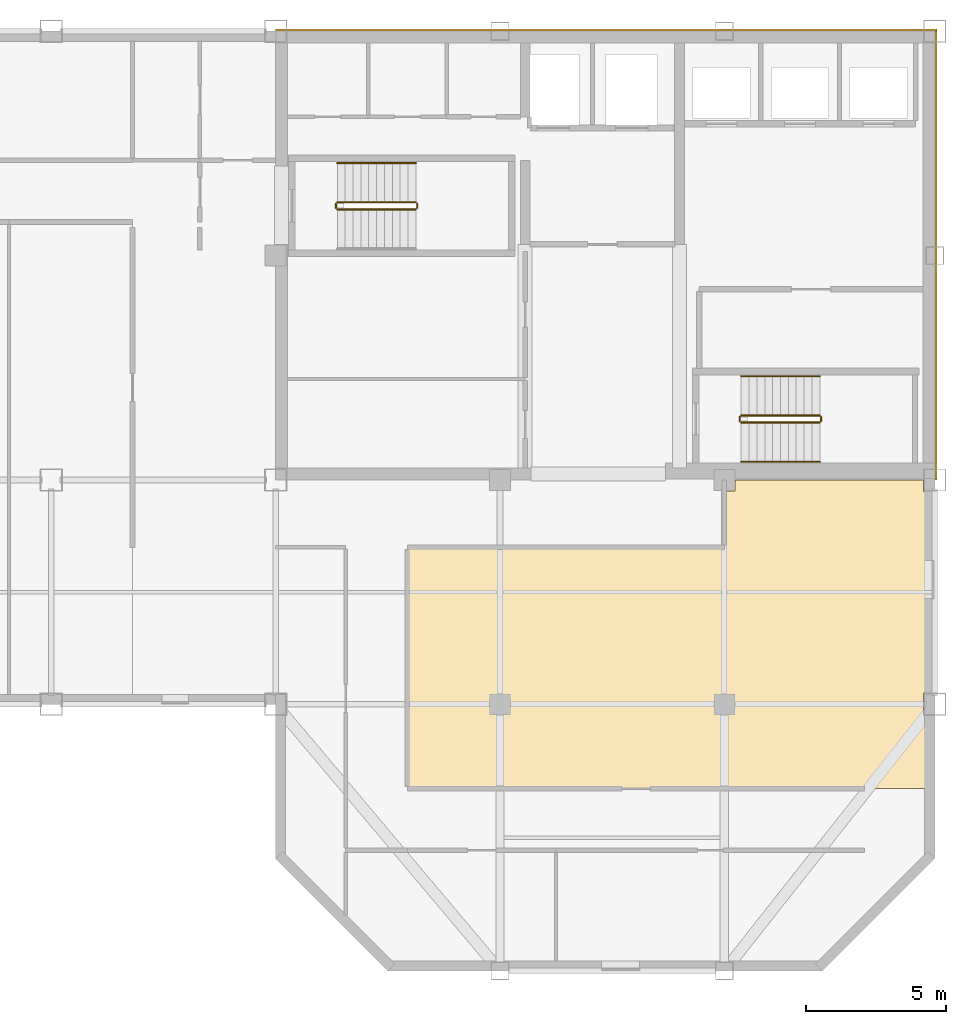
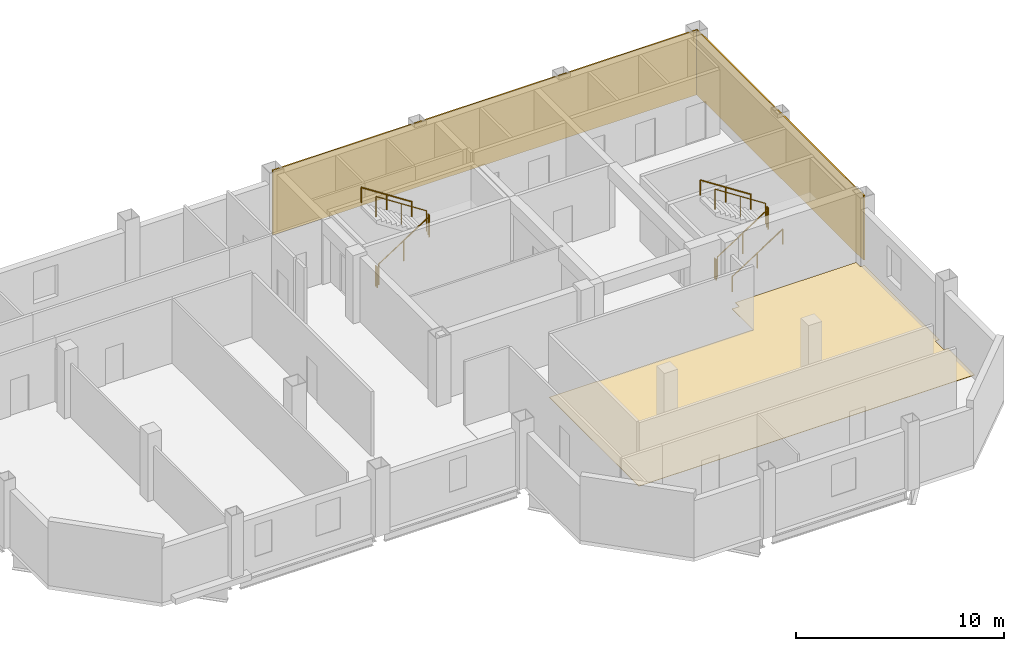
# One storey, part 6 of 6: 11 railings, 3 coverings.
"""IFC4 building model written with IfcOpenShell, lengths in metres."""

from ifc_helpers import new_model, si_unit, direction, frame, origin, origin_2d, place, context, subcontext, project, spatial, polyline, rectangle, circle, outline, extrude, material, layer, layer_set, type_object, element, save


model = new_model("IFC4")

# Units and contexts
model_context = context("Model", 3, precision=1e-05, world=origin(), true_north=direction((0.0, 1.0)))
body_context = subcontext(model_context, "Body", "Model", "MODEL_VIEW")
ifc_project = project(units=[si_unit("LENGTHUNIT", "METRE"), si_unit("AREAUNIT", "SQUARE_METRE"), si_unit("VOLUMEUNIT", "CUBIC_METRE"), si_unit("PLANEANGLEUNIT", "RADIAN"), si_unit("MASSUNIT", "GRAM", prefix="KILO")], contexts=[model_context])

# Site, building, storey
site_placement = place(None, origin())
site = spatial("IfcSite", under=ifc_project, at=site_placement, CompositionType="ELEMENT")
building_placement = place(site_placement, origin())
building = spatial("IfcBuilding", under=site, at=building_placement, Name="Qianrong Seaharbour Tower", CompositionType="ELEMENT")
storey_placement = place(building_placement, frame((0.0, 0.0, 319.199951171875)))
storey = spatial("IfcBuildingStorey", under=building, at=storey_placement, Name="L77", CompositionType="ELEMENT", Elevation=319.199951171875)

# Coverings
ifc_material_1 = material(Name="Unitised red brick cladding on Precast concrete C45/55", Category="masonry")
ifc_layer_1 = layer(ifc_material_1, 0.080078125)
ifc_layer_set_1 = layer_set([ifc_layer_1], Name="Unitised red brick cladding on Precast concrete C45/55")
covering_type_1 = type_object("IfcCoveringType", Name="COV-CLAD-RED-BRICK-80", PredefinedType="CLADDING", material=ifc_layer_set_1)
covering_1_placement = place(storey_placement, frame((52.2900390625, 52.0400390625, 0.0), z_axis=(0.0, 0.0, 1.0), x_axis=(1.0, 0.0, 0.0)))
element("IfcCovering", 1, at=covering_1_placement, inside=storey, type_object=covering_type_1, Name="L77 North Core Brick Veneer Cladding", PredefinedType="CLADDING", context=body_context, shape_type="SweptSolid", body=[
    extrude(rectangle(XDim=23.580078125, YDim=0.080078125, at=origin_2d()), origin(), (0.0, 0.0, 1.0), 3.784912109375),
])
covering_2_placement = place(storey_placement, frame((64.0400390625, 44.0, 0.0), z_axis=(0.0, 0.0, 1.0), x_axis=(1.0, 0.0, 0.0)))
element("IfcCovering", 2, at=covering_2_placement, inside=storey, type_object=covering_type_1, Name="L77 East Core Brick Veneer Cladding", PredefinedType="CLADDING", context=body_context, shape_type="SweptSolid", body=[
    extrude(rectangle(XDim=0.080078125, YDim=16.0, at=origin_2d()), origin(), (0.0, 0.0, 1.0), 3.784912109375),
])
ifc_material_2 = material(Name="Acoustic modular carpet tile flooring")
ifc_layer_2 = layer(ifc_material_2, 0.02001953125)
ifc_layer_set_2 = layer_set([ifc_layer_2], Name="Acoustic modular carpet tile flooring")
covering_type_2 = type_object("IfcCoveringType", Name="COV-FLOOR-CARPET-20", PredefinedType="FLOORING", material=ifc_layer_set_2)
covering_3_placement = place(storey_placement, origin())
element("IfcCovering", 3, at=covering_3_placement, inside=storey, type_object=covering_type_2, Name="L77 Staff Club Assembly Hall Finish Flooring", PredefinedType="FLOORING", context=body_context, shape_type="SweptSolid", body=[
    extrude(outline(polyline([(56.5, 33.60009765625), (56.5, 35.614990234375), (56.885009765625, 35.614990234375), (56.885009765625, 36.0), (63.590087890625, 36.0), (63.590087890625, 35.590087890625), (63.824951171875, 35.590087890625), (63.824951171875, 28.409912109375), (63.590087890625, 28.409912109375), (63.590087890625, 27.590087890625), (63.824951171875, 27.590087890625), (63.824951171875, 25.0), (45.199951171875, 25.0), (45.199951171875, 33.60009765625), (56.5, 33.60009765625)])), origin(), (0.0, 0.0, 1.0), 0.02001953125),
])

# Railings
ifc_material_3 = material(Name="Galvanized painted steel SN400B stair guard", Category="steel")
railing_type_1 = type_object("IfcRailingType", Name="RAIL-STAIR-GUARD-1220", PredefinedType="GUARDRAIL", material=ifc_material_3)
railing_1_placement = place(storey_placement, frame((42.699951171875, 45.64990234375, 0.181884765625)))
element("IfcRailing", 4, at=railing_1_placement, inside=storey, type_object=railing_type_1, Name="L77 ST-1 stair guard 1", PredefinedType="GUARDRAIL", context=body_context, shape_type="SweptSolid", body=[
    extrude(circle(Radius=0.02392578125, at=origin_2d()), frame((0.0, 0.0, 1.19580078125), z_axis=(0.838705829183, 0.0, 0.544584733623), x_axis=(0.0, 1.0, 0.0)), (0.0, 0.0, 1.0), 3.338623046875),
    extrude(circle(Radius=0.02099609375, at=origin_2d()), origin(), (0.0, 0.0, 1.0), 1.171875),
    extrude(circle(Radius=0.02099609375, at=origin_2d()), frame((1.39990234375, 0.0, 0.9091796875)), (0.0, 0.0, 1.0), 1.171875),
    extrude(circle(Radius=0.02099609375, at=origin_2d()), frame((2.800048828125, 0.0, 1.818115234375)), (0.0, 0.0, 1.0), 1.171875),
])
railing_2_placement = place(storey_placement, frame((45.550048828125, 45.699951171875, 2.0)))
element("IfcRailing", 5, at=railing_2_placement, inside=storey, type_object=railing_type_1, Name="L77 ST-1 stair guard 2", PredefinedType="GUARDRAIL", context=body_context, shape_type="SweptSolid", body=[
    extrude(circle(Radius=0.02392578125, at=origin_2d()), frame((0.0, 0.0, 1.19580078125), z_axis=(0.0, 1.0, 0.0), x_axis=(-1.0, 0.0, 0.0)), (0.0, 0.0, 1.0), 0.150146484375),
    extrude(circle(Radius=0.02099609375, at=origin_2d()), origin(), (0.0, 0.0, 1.0), 1.171875),
    extrude(circle(Radius=0.02099609375, at=origin_2d()), frame((0.0, 0.150146484375, 0.0)), (0.0, 0.0, 1.0), 1.171875),
])
railing_3_placement = place(storey_placement, frame((45.5, 45.89990234375, 2.181884765625)))
element("IfcRailing", 6, at=railing_3_placement, inside=storey, type_object=railing_type_1, Name="L77 ST-1 stair guard 3", PredefinedType="GUARDRAIL", context=body_context, shape_type="SweptSolid", body=[
    extrude(circle(Radius=0.02392578125, at=origin_2d()), frame((0.0, 0.0, 1.19580078125), z_axis=(-0.838705829183, 0.0, 0.544584733623), x_axis=(0.0, -1.0, 0.0)), (0.0, 0.0, 1.0), 3.338623046875),
    extrude(circle(Radius=0.02099609375, at=origin_2d()), origin(), (0.0, 0.0, 1.0), 1.171875),
    extrude(circle(Radius=0.02099609375, at=origin_2d()), frame((-1.39990234375, 0.0, 0.9091796875)), (0.0, 0.0, 1.0), 1.171875),
    extrude(circle(Radius=0.02099609375, at=origin_2d()), frame((-2.800048828125, 0.0, 1.818115234375)), (0.0, 0.0, 1.0), 1.171875),
])
railing_4_placement = place(storey_placement, frame((42.64990234375, 45.699951171875, 0.0)))
element("IfcRailing", 7, at=railing_4_placement, inside=storey, type_object=railing_type_1, Name="L77 ST-1 stair guard 4", PredefinedType="GUARDRAIL", context=body_context, shape_type="SweptSolid", body=[
    extrude(circle(Radius=0.02392578125, at=origin_2d()), frame((0.0, 0.0, 1.19580078125), z_axis=(0.0, 1.0, 0.0), x_axis=(-1.0, 0.0, 0.0)), (0.0, 0.0, 1.0), 0.150146484375),
    extrude(circle(Radius=0.02099609375, at=origin_2d()), origin(), (0.0, 0.0, 1.0), 1.171875),
    extrude(circle(Radius=0.02099609375, at=origin_2d()), frame((0.0, 0.150146484375, 0.0)), (0.0, 0.0, 1.0), 1.171875),
])
railing_5_placement = place(storey_placement, frame((57.10009765625, 38.050048828125, 0.181884765625)))
element("IfcRailing", 8, at=railing_5_placement, inside=storey, type_object=railing_type_1, Name="L77 ST-2 stair guard 1", PredefinedType="GUARDRAIL", context=body_context, shape_type="SweptSolid", body=[
    extrude(circle(Radius=0.02392578125, at=origin_2d()), frame((0.0, 0.0, 1.19580078125), z_axis=(0.83868413941, 0.0, 0.544618136222), x_axis=(0.0, 1.0, 0.0)), (0.0, 0.0, 1.0), 3.33837890625),
    extrude(circle(Radius=0.02099609375, at=origin_2d()), origin(), (0.0, 0.0, 1.0), 1.171875),
    extrude(circle(Radius=0.02099609375, at=origin_2d()), frame((1.39990234375, 0.0, 0.9091796875)), (0.0, 0.0, 1.0), 1.171875),
    extrude(circle(Radius=0.02099609375, at=origin_2d()), frame((2.7998046875, 0.0, 1.818115234375)), (0.0, 0.0, 1.0), 1.171875),
])
railing_6_placement = place(storey_placement, frame((59.949951171875, 38.10009765625, 2.0)))
element("IfcRailing", 9, at=railing_6_placement, inside=storey, type_object=railing_type_1, Name="L77 ST-2 stair guard 2", PredefinedType="GUARDRAIL", context=body_context, shape_type="SweptSolid", body=[
    extrude(circle(Radius=0.02392578125, at=origin_2d()), frame((0.0, 0.0, 1.19580078125), z_axis=(0.0, 1.0, 0.0), x_axis=(-1.0, 0.0, 0.0)), (0.0, 0.0, 1.0), 0.14990234375),
    extrude(circle(Radius=0.02099609375, at=origin_2d()), origin(), (0.0, 0.0, 1.0), 1.171875),
    extrude(circle(Radius=0.02099609375, at=origin_2d()), frame((0.0, 0.14990234375, 0.0)), (0.0, 0.0, 1.0), 1.171875),
])
railing_7_placement = place(storey_placement, frame((59.89990234375, 38.300048828125, 2.181884765625)))
element("IfcRailing", 10, at=railing_7_placement, inside=storey, type_object=railing_type_1, Name="L77 ST-2 stair guard 3", PredefinedType="GUARDRAIL", context=body_context, shape_type="SweptSolid", body=[
    extrude(circle(Radius=0.02392578125, at=origin_2d()), frame((0.0, 0.0, 1.19580078125), z_axis=(-0.83868413941, 0.0, 0.544618136222), x_axis=(0.0, -1.0, 0.0)), (0.0, 0.0, 1.0), 3.33837890625),
    extrude(circle(Radius=0.02099609375, at=origin_2d()), origin(), (0.0, 0.0, 1.0), 1.171875),
    extrude(circle(Radius=0.02099609375, at=origin_2d()), frame((-1.39990234375, 0.0, 0.9091796875)), (0.0, 0.0, 1.0), 1.171875),
    extrude(circle(Radius=0.02099609375, at=origin_2d()), frame((-2.7998046875, 0.0, 1.818115234375)), (0.0, 0.0, 1.0), 1.171875),
])
railing_8_placement = place(storey_placement, frame((57.050048828125, 38.10009765625, 0.0)))
element("IfcRailing", 11, at=railing_8_placement, inside=storey, type_object=railing_type_1, Name="L77 ST-2 stair guard 4", PredefinedType="GUARDRAIL", context=body_context, shape_type="SweptSolid", body=[
    extrude(circle(Radius=0.02392578125, at=origin_2d()), frame((0.0, 0.0, 1.19580078125), z_axis=(0.0, 1.0, 0.0), x_axis=(-1.0, 0.0, 0.0)), (0.0, 0.0, 1.0), 0.14990234375),
    extrude(circle(Radius=0.02099609375, at=origin_2d()), origin(), (0.0, 0.0, 1.0), 1.171875),
    extrude(circle(Radius=0.02099609375, at=origin_2d()), frame((0.0, 0.14990234375, 0.0)), (0.0, 0.0, 1.0), 1.171875),
])
ifc_material_4 = material(Name="Stainless steel SUS316L continuous handrail", Category="steel")
railing_type_2 = type_object("IfcRailingType", Name="RAIL-STAIR-HANDRAIL-900", PredefinedType="HANDRAIL", material=ifc_material_4)
railing_9_placement = place(storey_placement, frame((45.5, 47.300048828125, 2.181884765625)))
element("IfcRailing", 12, at=railing_9_placement, inside=storey, type_object=railing_type_2, Name="L77 ST-1 stair handrail 2", PredefinedType="HANDRAIL", context=body_context, shape_type="SweptSolid", body=[
    extrude(circle(Radius=0.02392578125, at=origin_2d()), frame((0.0, 0.0, 0.8759765625), z_axis=(-0.838705829183, 0.0, 0.544584733623), x_axis=(0.0, -1.0, 0.0)), (0.0, 0.0, 1.0), 3.338623046875),
    extrude(circle(Radius=0.02099609375, at=origin_2d()), origin(), (0.0, 0.0, 1.0), 0.851806640625),
    extrude(circle(Radius=0.02099609375, at=origin_2d()), frame((-1.39990234375, 0.0, 0.9091796875)), (0.0, 0.0, 1.0), 0.851806640625),
    extrude(circle(Radius=0.02099609375, at=origin_2d()), frame((-2.800048828125, 0.0, 1.818115234375)), (0.0, 0.0, 1.0), 0.851806640625),
])
railing_10_placement = place(storey_placement, frame((57.10009765625, 36.64990234375, 0.181884765625)))
element("IfcRailing", 13, at=railing_10_placement, inside=storey, type_object=railing_type_2, Name="L77 ST-2 stair handrail 1", PredefinedType="HANDRAIL", context=body_context, shape_type="SweptSolid", body=[
    extrude(circle(Radius=0.02392578125, at=origin_2d()), frame((0.0, 0.0, 0.8759765625), z_axis=(0.83868413941, 0.0, 0.544618136222), x_axis=(0.0, 1.0, 0.0)), (0.0, 0.0, 1.0), 3.33837890625),
    extrude(circle(Radius=0.02099609375, at=origin_2d()), origin(), (0.0, 0.0, 1.0), 0.851806640625),
    extrude(circle(Radius=0.02099609375, at=origin_2d()), frame((1.39990234375, 0.0, 0.9091796875)), (0.0, 0.0, 1.0), 0.851806640625),
    extrude(circle(Radius=0.02099609375, at=origin_2d()), frame((2.7998046875, 0.0, 1.818115234375)), (0.0, 0.0, 1.0), 0.851806640625),
])
railing_11_placement = place(storey_placement, frame((59.89990234375, 39.699951171875, 2.181884765625)))
element("IfcRailing", 14, at=railing_11_placement, inside=storey, type_object=railing_type_2, Name="L77 ST-2 stair handrail 2", PredefinedType="HANDRAIL", context=body_context, shape_type="SweptSolid", body=[
    extrude(circle(Radius=0.02392578125, at=origin_2d()), frame((0.0, 0.0, 0.8759765625), z_axis=(-0.83868413941, 0.0, 0.544618136222), x_axis=(0.0, -1.0, 0.0)), (0.0, 0.0, 1.0), 3.33837890625),
    extrude(circle(Radius=0.02099609375, at=origin_2d()), origin(), (0.0, 0.0, 1.0), 0.851806640625),
    extrude(circle(Radius=0.02099609375, at=origin_2d()), frame((-1.39990234375, 0.0, 0.9091796875)), (0.0, 0.0, 1.0), 0.851806640625),
    extrude(circle(Radius=0.02099609375, at=origin_2d()), frame((-2.7998046875, 0.0, 1.818115234375)), (0.0, 0.0, 1.0), 0.851806640625),
])

save(model, "model.ifc")
